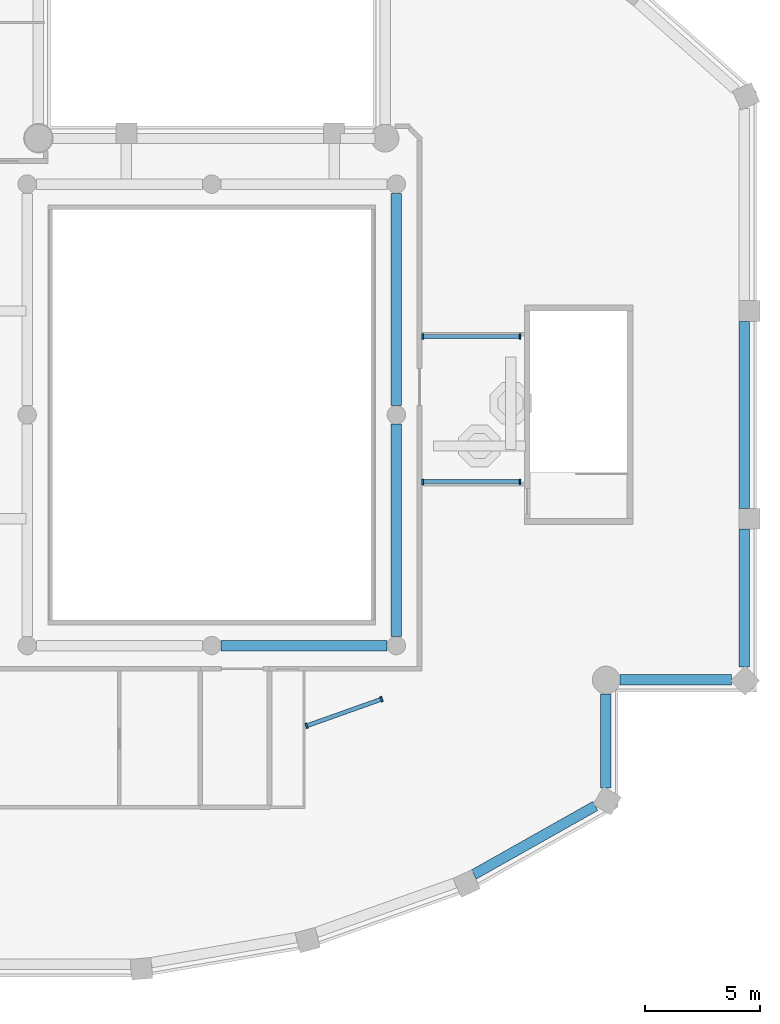
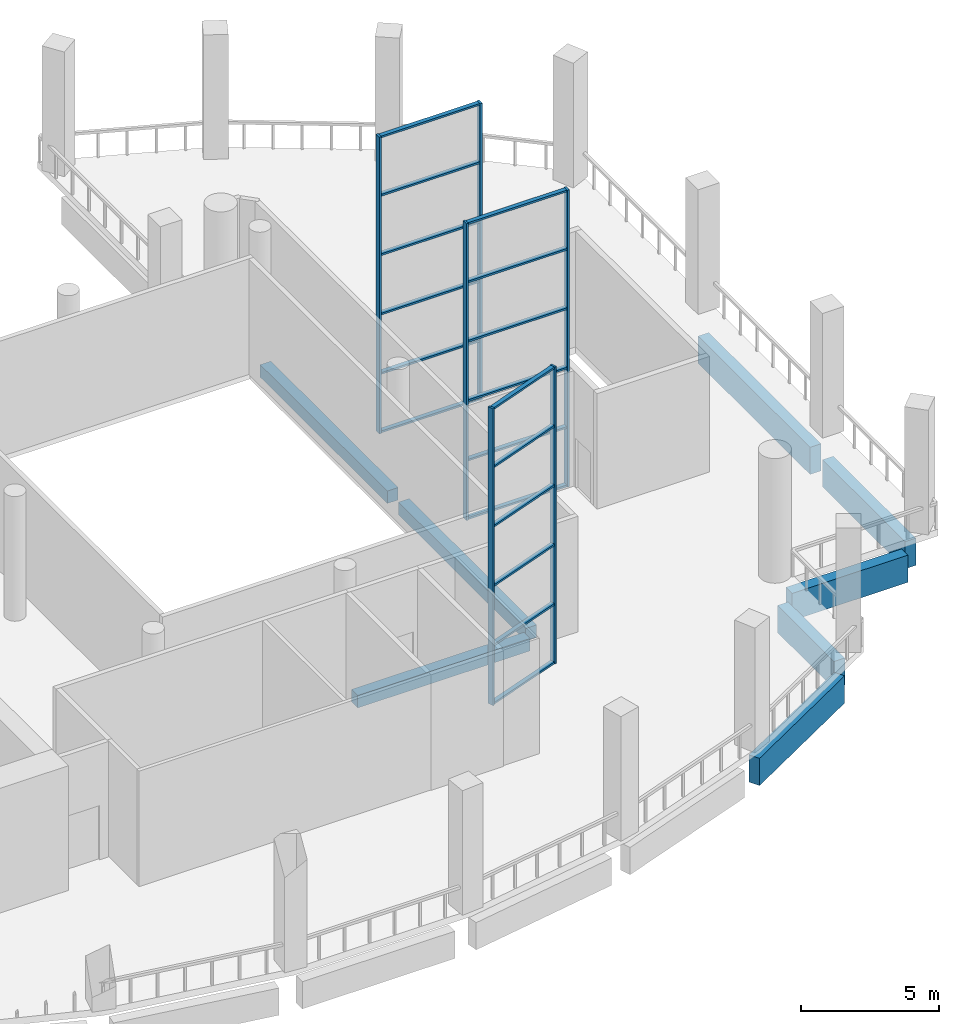
# One storey, part 3 of 12: 24 members, 8 beams, 3 elements without a shape of their own.
"""IFC4 building model written with IfcOpenShell, lengths in metres."""

from ifc_helpers import new_model, si_unit, direction, frame, origin, origin_2d, place, context, subcontext, project, spatial, rectangle, extrude, material, material_profile, profile_set, type_object, element, aggregate, save


model = new_model("IFC4")

# Units and contexts
model_context = context("Model", 3, precision=1e-05, world=origin(), true_north=direction((0.0, 1.0)))
body_context = subcontext(model_context, "Body", "Model", "MODEL_VIEW")
ifc_project = project(units=[si_unit("LENGTHUNIT", "METRE"), si_unit("AREAUNIT", "SQUARE_METRE"), si_unit("VOLUMEUNIT", "CUBIC_METRE"), si_unit("PLANEANGLEUNIT", "RADIAN"), si_unit("MASSUNIT", "GRAM", prefix="KILO")], contexts=[model_context])

# Site, building, storey
site_placement = place(None, origin())
site = spatial("IfcSite", under=ifc_project, at=site_placement, CompositionType="ELEMENT")
building_placement = place(site_placement, origin())
building = spatial("IfcBuilding", under=site, at=building_placement, Name="Cypress Arch Tower", CompositionType="ELEMENT")
storey_placement = place(building_placement, frame((0.0, 0.0, 329.5)))
storey = spatial("IfcBuildingStorey", under=building, at=storey_placement, Name="L75", CompositionType="ELEMENT", Elevation=329.5)

# Beams
ifc_material_1 = material(Name="Concrete C50/60", Category="concrete")
ifc_material_profile_1 = material_profile(ifc_material_1, rectangle(XDim=0.449951171875, YDim=0.550048828125, at=origin_2d()), Name="RC 450x550")
ifc_profile_set_1 = profile_set([ifc_material_profile_1], Name="Concrete C50/60")
beam_type_1 = type_object("IfcBeamType", Name="Floor beam RC 450x550 Concrete C50/60", PredefinedType="BEAM", material=ifc_profile_set_1)
for number, where, z_axis, x_axis, name in (
    (1, (9.0, -9.60009765625, -0.574951171875), (0.0, 1.0, 0.0), (-1.0, 0.0, 0.0), "Floor beam L75 RB003"),
    (2, (9.0, 0.39990234375, -0.574951171875), (0.0, 1.0, 0.0), (-1.0, 0.0, 0.0), "Floor beam L75 RB004"),
):
    element("IfcBeam", number, at=place(storey_placement, frame(where, z_axis=z_axis, x_axis=x_axis)), inside=storey, type_object=beam_type_1, Name=name, PredefinedType="BEAM", context=body_context, shape_type="SweptSolid", body=[
        extrude(rectangle(XDim=0.449951171875, YDim=0.550048828125, at=origin_2d()), origin(), (0.0, 0.0, 1.0), 9.2001953125),
    ])
beam_1_placement = place(storey_placement, frame((1.39990234375, -10.0, -0.574951171875), z_axis=(1.0, 0.0, 0.0), x_axis=(0.0, 1.0, 0.0)))
element("IfcBeam", 3, at=beam_1_placement, inside=storey, type_object=beam_type_1, Name="Floor beam L75 RB006", PredefinedType="BEAM", context=body_context, shape_type="SweptSolid", body=[
    extrude(rectangle(XDim=0.449951171875, YDim=0.550048828125, at=origin_2d()), origin(), (0.0, 0.0, 1.0), 7.2001953125),
])

# Curtain wall, members
ifc_material_2 = material(Name="Anodised aluminium, bronze finish, solar control laminated double glazing", Category="aluminium")
curtain_wall_type = type_object("IfcCurtainWallType", Name="Curtain wall CW5 observation lounge wall", PredefinedType="NOTDEFINED", material=ifc_material_2)
curtain_wall_1_placement = place(storey_placement, origin())
curtain_wall_1 = element("IfcCurtainWall", 4, at=curtain_wall_1_placement, inside=storey, type_object=curtain_wall_type, Name="Curtain wall L75 E0.1.1", PredefinedType="NOTDEFINED")
ifc_material_3 = material(Name="Anodised aluminium, bronze finish", Category="aluminium")
ifc_material_profile_2 = material_profile(ifc_material_3, rectangle(XDim=0.239990234375, YDim=0.0849609375, at=origin_2d()), Name="Mullion 85x240")
ifc_profile_set_2 = profile_set([ifc_material_profile_2], Name="Anodised aluminium, bronze finish")
member_type_1 = type_object("IfcMemberType", Name="Mullion CW5 85x240", PredefinedType="MULLION", material=ifc_profile_set_2)
member_1_placement = place(storey_placement, frame((10.142578125, 3.39990234375, 0.0), z_axis=(0.0, 0.0, 1.0), x_axis=(0.0, 1.0, 0.0)))
member_1 = element("IfcMember", 5, at=member_1_placement, type_object=member_type_1, Name="CW5 mullion 1", PredefinedType="MULLION", context=body_context, shape_type="SweptSolid", body=[
    extrude(rectangle(XDim=0.239990234375, YDim=0.0849609375, at=origin_2d()), origin(), (0.0, 0.0, 1.0), 13.10009765625),
])
member_2_placement = place(storey_placement, frame((14.357421875, 3.39990234375, 0.0), z_axis=(0.0, 0.0, 1.0), x_axis=(0.0, 1.0, 0.0)))
member_2 = element("IfcMember", 6, at=member_2_placement, type_object=member_type_1, Name="CW5 mullion 2", PredefinedType="MULLION", context=body_context, shape_type="SweptSolid", body=[
    extrude(rectangle(XDim=0.239990234375, YDim=0.0849609375, at=origin_2d()), origin(), (0.0, 0.0, 1.0), 13.10009765625),
])

curtain_wall_2_placement = place(storey_placement, origin())
curtain_wall_2 = element("IfcCurtainWall", 7, at=curtain_wall_2_placement, inside=storey, type_object=curtain_wall_type, Name="Curtain wall L75 E2.1.1", PredefinedType="NOTDEFINED")
member_3_placement = place(storey_placement, frame((14.357421875, -2.89990234375, 0.0), z_axis=(0.0, 0.0, 1.0), x_axis=(0.0, -1.0, 0.0)))
member_3 = element("IfcMember", 8, at=member_3_placement, type_object=member_type_1, Name="CW5 mullion 1", PredefinedType="MULLION", context=body_context, shape_type="SweptSolid", body=[
    extrude(rectangle(XDim=0.239990234375, YDim=0.0849609375, at=origin_2d()), origin(), (0.0, 0.0, 1.0), 13.10009765625),
])
member_4_placement = place(storey_placement, frame((10.142578125, -2.89990234375, 0.0), z_axis=(0.0, 0.0, 1.0), x_axis=(0.0, -1.0, 0.0)))
member_4 = element("IfcMember", 9, at=member_4_placement, type_object=member_type_1, Name="CW5 mullion 2", PredefinedType="MULLION", context=body_context, shape_type="SweptSolid", body=[
    extrude(rectangle(XDim=0.239990234375, YDim=0.0849609375, at=origin_2d()), origin(), (0.0, 0.0, 1.0), 13.10009765625),
])

curtain_wall_3_placement = place(storey_placement, origin())
curtain_wall_3 = element("IfcCurtainWall", 10, at=curtain_wall_3_placement, inside=storey, type_object=curtain_wall_type, Name="Curtain wall L75 E5.1.1", PredefinedType="NOTDEFINED")
member_5_placement = place(storey_placement, frame((8.35986328125, -12.320556640625, 0.0), z_axis=(0.0, 0.0, 1.0), x_axis=(0.335304142785, -0.94210993617, 0.0)))
member_5 = element("IfcMember", 11, at=member_5_placement, type_object=member_type_1, Name="CW5 mullion 1", PredefinedType="MULLION", context=body_context, shape_type="SweptSolid", body=[
    extrude(rectangle(XDim=0.239990234375, YDim=0.0849609375, at=origin_2d()), origin(), (0.0, 0.0, 1.0), 13.10009765625),
])
member_6_placement = place(storey_placement, frame((5.1064453125, -13.478271484375, 0.0), z_axis=(0.0, 0.0, 1.0), x_axis=(0.335304142785, -0.94210993617, 0.0)))
member_6 = element("IfcMember", 12, at=member_6_placement, type_object=member_type_1, Name="CW5 mullion 2", PredefinedType="MULLION", context=body_context, shape_type="SweptSolid", body=[
    extrude(rectangle(XDim=0.239990234375, YDim=0.0849609375, at=origin_2d()), origin(), (0.0, 0.0, 1.0), 13.10009765625),
])

# Beams
ifc_material_4 = material(Name="Concrete C50/60", Category="concrete")
ifc_material_profile_3 = material_profile(ifc_material_4, rectangle(XDim=0.449951171875, YDim=1.199951171875, at=origin_2d()), Name="RC 450x1200")
ifc_profile_set_3 = profile_set([ifc_material_profile_3], Name="Concrete C50/60")
beam_type_2 = type_object("IfcBeamType", Name="Spandrel beam RC 450x1200 Concrete C50/60", PredefinedType="SPANDREL", material=ifc_profile_set_3)
beam_2_placement = place(storey_placement, frame((12.35498046875, -19.918701171875, -1.550048828125), z_axis=(0.871059543975, 0.491177433165, 0.0), x_axis=(-0.491177433165, 0.871059543975, 0.0)))
element("IfcBeam", 13, at=beam_2_placement, inside=storey, type_object=beam_type_2, Name="Spandrel beam L75 BC14-0", PredefinedType="SPANDREL", context=body_context, shape_type="SweptSolid", body=[
    extrude(rectangle(XDim=0.449951171875, YDim=1.199951171875, at=origin_2d()), origin(), (0.0, 0.0, 1.0), 6.045654296875),
])
beam_3_placement = place(storey_placement, frame((18.074951171875, -16.172119140625, -1.550048828125), z_axis=(0.0, 1.0, 0.0), x_axis=(-1.0, 0.0, 0.0)))
element("IfcBeam", 14, at=beam_3_placement, inside=storey, type_object=beam_type_2, Name="Spandrel beam L75 BC15-0", PredefinedType="SPANDREL", context=body_context, shape_type="SweptSolid", body=[
    extrude(rectangle(XDim=0.449951171875, YDim=1.199951171875, at=origin_2d()), origin(), (0.0, 0.0, 1.0), 4.08447265625),
])
beam_4_placement = place(storey_placement, frame((18.6875, -11.47509765625, -1.550048828125), z_axis=(1.0, 0.0, 0.0), x_axis=(0.0, 1.0, 0.0)))
element("IfcBeam", 15, at=beam_4_placement, inside=storey, type_object=beam_type_2, Name="Spandrel beam L75 BC16-0", PredefinedType="SPANDREL", context=body_context, shape_type="SweptSolid", body=[
    extrude(rectangle(XDim=0.449951171875, YDim=1.199951171875, at=origin_2d()), origin(), (0.0, 0.0, 1.0), 4.828369140625),
])
beam_5_placement = place(storey_placement, frame((24.074951171875, -10.915771484375, -1.550048828125), z_axis=(0.0, 1.0, 0.0), x_axis=(-1.0, 0.0, 0.0)))
element("IfcBeam", 16, at=beam_5_placement, inside=storey, type_object=beam_type_2, Name="Spandrel beam L75 BC17-0", PredefinedType="SPANDREL", context=body_context, shape_type="SweptSolid", body=[
    extrude(rectangle(XDim=0.449951171875, YDim=1.199951171875, at=origin_2d()), origin(), (0.0, 0.0, 1.0), 5.9658203125),
])
beam_6_placement = place(storey_placement, frame((24.074951171875, -4.050048828125, -1.550048828125), z_axis=(0.0, 1.0, 0.0), x_axis=(-1.0, 0.0, 0.0)))
element("IfcBeam", 17, at=beam_6_placement, inside=storey, type_object=beam_type_2, Name="Spandrel beam L75 BC17-1", PredefinedType="SPANDREL", context=body_context, shape_type="SweptSolid", body=[
    extrude(rectangle(XDim=0.449951171875, YDim=1.199951171875, at=origin_2d()), origin(), (0.0, 0.0, 1.0), 8.10009765625),
])

# Member
ifc_material_5 = material(Name="Anodised aluminium, bronze finish", Category="aluminium")
ifc_material_profile_4 = material_profile(ifc_material_5, rectangle(XDim=0.179931640625, YDim=0.0849609375, at=origin_2d()), Name="Transom 85x180")
ifc_profile_set_4 = profile_set([ifc_material_profile_4], Name="Anodised aluminium, bronze finish")
member_type_2 = type_object("IfcMemberType", Name="Transom CW5 85x180", PredefinedType="USERDEFINED", material=ifc_profile_set_4)
member_7_placement = place(storey_placement, frame((10.18505859375, 3.39990234375, 0.04248046875), z_axis=(1.0, 0.0, 0.0), x_axis=(0.0, 1.0, 0.0)))
member_7 = element("IfcMember", 18, at=member_7_placement, type_object=member_type_2, Name="CW5 transom 1.1", ObjectType="TRANSOM", PredefinedType="USERDEFINED", context=body_context, shape_type="SweptSolid", body=[
    extrude(rectangle(XDim=0.179931640625, YDim=0.0849609375, at=origin_2d()), origin(), (0.0, 0.0, 1.0), 4.1298828125),
])

member_8_placement = place(storey_placement, frame((10.18505859375, 3.39990234375, 2.6201171875), z_axis=(1.0, 0.0, 0.0), x_axis=(0.0, 1.0, 0.0)))
member_8 = element("IfcMember", 19, at=member_8_placement, type_object=member_type_2, Name="CW5 transom 1.2", ObjectType="TRANSOM", PredefinedType="USERDEFINED", context=body_context, shape_type="SweptSolid", body=[
    extrude(rectangle(XDim=0.179931640625, YDim=0.0849609375, at=origin_2d()), origin(), (0.0, 0.0, 1.0), 4.1298828125),
])

member_9_placement = place(storey_placement, frame((10.18505859375, 3.39990234375, 5.239990234375), z_axis=(1.0, 0.0, 0.0), x_axis=(0.0, 1.0, 0.0)))
member_9 = element("IfcMember", 20, at=member_9_placement, type_object=member_type_2, Name="CW5 transom 1.3", ObjectType="TRANSOM", PredefinedType="USERDEFINED", context=body_context, shape_type="SweptSolid", body=[
    extrude(rectangle(XDim=0.179931640625, YDim=0.0849609375, at=origin_2d()), origin(), (0.0, 0.0, 1.0), 4.1298828125),
])

member_10_placement = place(storey_placement, frame((10.18505859375, 3.39990234375, 7.860107421875), z_axis=(1.0, 0.0, 0.0), x_axis=(0.0, 1.0, 0.0)))
member_10 = element("IfcMember", 21, at=member_10_placement, type_object=member_type_2, Name="CW5 transom 1.4", ObjectType="TRANSOM", PredefinedType="USERDEFINED", context=body_context, shape_type="SweptSolid", body=[
    extrude(rectangle(XDim=0.179931640625, YDim=0.0849609375, at=origin_2d()), origin(), (0.0, 0.0, 1.0), 4.1298828125),
])

member_11_placement = place(storey_placement, frame((10.18505859375, 3.39990234375, 10.47998046875), z_axis=(1.0, 0.0, 0.0), x_axis=(0.0, 1.0, 0.0)))
member_11 = element("IfcMember", 22, at=member_11_placement, type_object=member_type_2, Name="CW5 transom 1.5", ObjectType="TRANSOM", PredefinedType="USERDEFINED", context=body_context, shape_type="SweptSolid", body=[
    extrude(rectangle(XDim=0.179931640625, YDim=0.0849609375, at=origin_2d()), origin(), (0.0, 0.0, 1.0), 4.1298828125),
])

member_12_placement = place(storey_placement, frame((10.18505859375, 3.39990234375, 13.0576171875), z_axis=(1.0, 0.0, 0.0), x_axis=(0.0, 1.0, 0.0)))
member_12 = element("IfcMember", 23, at=member_12_placement, type_object=member_type_2, Name="CW5 transom 1.6", ObjectType="TRANSOM", PredefinedType="USERDEFINED", context=body_context, shape_type="SweptSolid", body=[
    extrude(rectangle(XDim=0.179931640625, YDim=0.0849609375, at=origin_2d()), origin(), (0.0, 0.0, 1.0), 4.1298828125),
])

aggregate(curtain_wall_1, [member_1, member_2, member_7, member_8, member_9, member_10, member_11, member_12])

member_13_placement = place(storey_placement, frame((14.31494140625, -2.89990234375, 0.04248046875), z_axis=(-1.0, 0.0, 0.0), x_axis=(0.0, -1.0, 0.0)))
member_13 = element("IfcMember", 24, at=member_13_placement, type_object=member_type_2, Name="CW5 transom 1.1", ObjectType="TRANSOM", PredefinedType="USERDEFINED", context=body_context, shape_type="SweptSolid", body=[
    extrude(rectangle(XDim=0.179931640625, YDim=0.0849609375, at=origin_2d()), origin(), (0.0, 0.0, 1.0), 4.1298828125),
])

member_14_placement = place(storey_placement, frame((14.31494140625, -2.89990234375, 2.6201171875), z_axis=(-1.0, 0.0, 0.0), x_axis=(0.0, -1.0, 0.0)))
member_14 = element("IfcMember", 25, at=member_14_placement, type_object=member_type_2, Name="CW5 transom 1.2", ObjectType="TRANSOM", PredefinedType="USERDEFINED", context=body_context, shape_type="SweptSolid", body=[
    extrude(rectangle(XDim=0.179931640625, YDim=0.0849609375, at=origin_2d()), origin(), (0.0, 0.0, 1.0), 4.1298828125),
])

member_15_placement = place(storey_placement, frame((14.31494140625, -2.89990234375, 5.239990234375), z_axis=(-1.0, 0.0, 0.0), x_axis=(0.0, -1.0, 0.0)))
member_15 = element("IfcMember", 26, at=member_15_placement, type_object=member_type_2, Name="CW5 transom 1.3", ObjectType="TRANSOM", PredefinedType="USERDEFINED", context=body_context, shape_type="SweptSolid", body=[
    extrude(rectangle(XDim=0.179931640625, YDim=0.0849609375, at=origin_2d()), origin(), (0.0, 0.0, 1.0), 4.1298828125),
])

member_16_placement = place(storey_placement, frame((14.31494140625, -2.89990234375, 7.860107421875), z_axis=(-1.0, 0.0, 0.0), x_axis=(0.0, -1.0, 0.0)))
member_16 = element("IfcMember", 27, at=member_16_placement, type_object=member_type_2, Name="CW5 transom 1.4", ObjectType="TRANSOM", PredefinedType="USERDEFINED", context=body_context, shape_type="SweptSolid", body=[
    extrude(rectangle(XDim=0.179931640625, YDim=0.0849609375, at=origin_2d()), origin(), (0.0, 0.0, 1.0), 4.1298828125),
])

member_17_placement = place(storey_placement, frame((14.31494140625, -2.89990234375, 10.47998046875), z_axis=(-1.0, 0.0, 0.0), x_axis=(0.0, -1.0, 0.0)))
member_17 = element("IfcMember", 28, at=member_17_placement, type_object=member_type_2, Name="CW5 transom 1.5", ObjectType="TRANSOM", PredefinedType="USERDEFINED", context=body_context, shape_type="SweptSolid", body=[
    extrude(rectangle(XDim=0.179931640625, YDim=0.0849609375, at=origin_2d()), origin(), (0.0, 0.0, 1.0), 4.1298828125),
])

member_18_placement = place(storey_placement, frame((14.31494140625, -2.89990234375, 13.0576171875), z_axis=(-1.0, 0.0, 0.0), x_axis=(0.0, -1.0, 0.0)))
member_18 = element("IfcMember", 29, at=member_18_placement, type_object=member_type_2, Name="CW5 transom 1.6", ObjectType="TRANSOM", PredefinedType="USERDEFINED", context=body_context, shape_type="SweptSolid", body=[
    extrude(rectangle(XDim=0.179931640625, YDim=0.0849609375, at=origin_2d()), origin(), (0.0, 0.0, 1.0), 4.1298828125),
])

aggregate(curtain_wall_2, [member_3, member_4, member_13, member_14, member_15, member_16, member_17, member_18])

member_19_placement = place(storey_placement, frame((8.31982421875, -12.334716796875, 0.04248046875), z_axis=(-0.942111945626, -0.335298496728, 0.0), x_axis=(0.335298496728, -0.942111945626, 0.0)))
member_19 = element("IfcMember", 30, at=member_19_placement, type_object=member_type_2, Name="CW5 transom 1.1", ObjectType="TRANSOM", PredefinedType="USERDEFINED", context=body_context, shape_type="SweptSolid", body=[
    extrude(rectangle(XDim=0.179931640625, YDim=0.0849609375, at=origin_2d()), origin(), (0.0, 0.0, 1.0), 3.368408203125),
])

member_20_placement = place(storey_placement, frame((8.31982421875, -12.334716796875, 2.6201171875), z_axis=(-0.942111945626, -0.335298496728, 0.0), x_axis=(0.335298496728, -0.942111945626, 0.0)))
member_20 = element("IfcMember", 31, at=member_20_placement, type_object=member_type_2, Name="CW5 transom 1.2", ObjectType="TRANSOM", PredefinedType="USERDEFINED", context=body_context, shape_type="SweptSolid", body=[
    extrude(rectangle(XDim=0.179931640625, YDim=0.0849609375, at=origin_2d()), origin(), (0.0, 0.0, 1.0), 3.368408203125),
])

member_21_placement = place(storey_placement, frame((8.31982421875, -12.334716796875, 5.239990234375), z_axis=(-0.942111945626, -0.335298496728, 0.0), x_axis=(0.335298496728, -0.942111945626, 0.0)))
member_21 = element("IfcMember", 32, at=member_21_placement, type_object=member_type_2, Name="CW5 transom 1.3", ObjectType="TRANSOM", PredefinedType="USERDEFINED", context=body_context, shape_type="SweptSolid", body=[
    extrude(rectangle(XDim=0.179931640625, YDim=0.0849609375, at=origin_2d()), origin(), (0.0, 0.0, 1.0), 3.368408203125),
])

member_22_placement = place(storey_placement, frame((8.31982421875, -12.334716796875, 7.860107421875), z_axis=(-0.942111945626, -0.335298496728, 0.0), x_axis=(0.335298496728, -0.942111945626, 0.0)))
member_22 = element("IfcMember", 33, at=member_22_placement, type_object=member_type_2, Name="CW5 transom 1.4", ObjectType="TRANSOM", PredefinedType="USERDEFINED", context=body_context, shape_type="SweptSolid", body=[
    extrude(rectangle(XDim=0.179931640625, YDim=0.0849609375, at=origin_2d()), origin(), (0.0, 0.0, 1.0), 3.368408203125),
])

member_23_placement = place(storey_placement, frame((8.31982421875, -12.334716796875, 10.47998046875), z_axis=(-0.942111945626, -0.335298496728, 0.0), x_axis=(0.335298496728, -0.942111945626, 0.0)))
member_23 = element("IfcMember", 34, at=member_23_placement, type_object=member_type_2, Name="CW5 transom 1.5", ObjectType="TRANSOM", PredefinedType="USERDEFINED", context=body_context, shape_type="SweptSolid", body=[
    extrude(rectangle(XDim=0.179931640625, YDim=0.0849609375, at=origin_2d()), origin(), (0.0, 0.0, 1.0), 3.368408203125),
])

member_24_placement = place(storey_placement, frame((8.31982421875, -12.334716796875, 13.0576171875), z_axis=(-0.942111945626, -0.335298496728, 0.0), x_axis=(0.335298496728, -0.942111945626, 0.0)))
member_24 = element("IfcMember", 35, at=member_24_placement, type_object=member_type_2, Name="CW5 transom 1.6", ObjectType="TRANSOM", PredefinedType="USERDEFINED", context=body_context, shape_type="SweptSolid", body=[
    extrude(rectangle(XDim=0.179931640625, YDim=0.0849609375, at=origin_2d()), origin(), (0.0, 0.0, 1.0), 3.368408203125),
])

aggregate(curtain_wall_3, [member_5, member_6, member_19, member_20, member_21, member_22, member_23, member_24])

save(model, "model.ifc")
